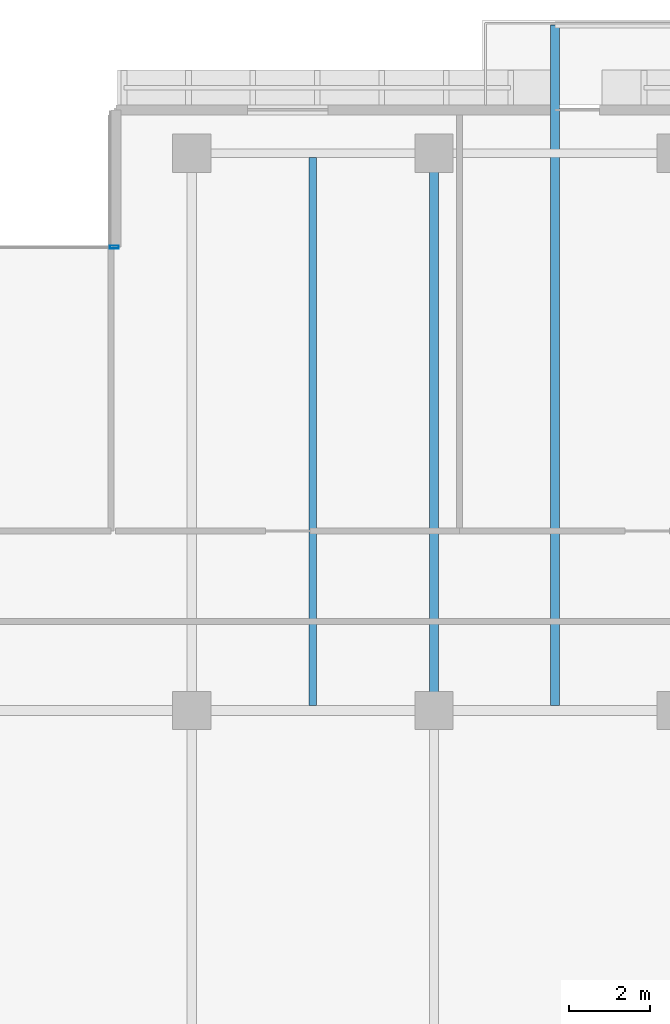
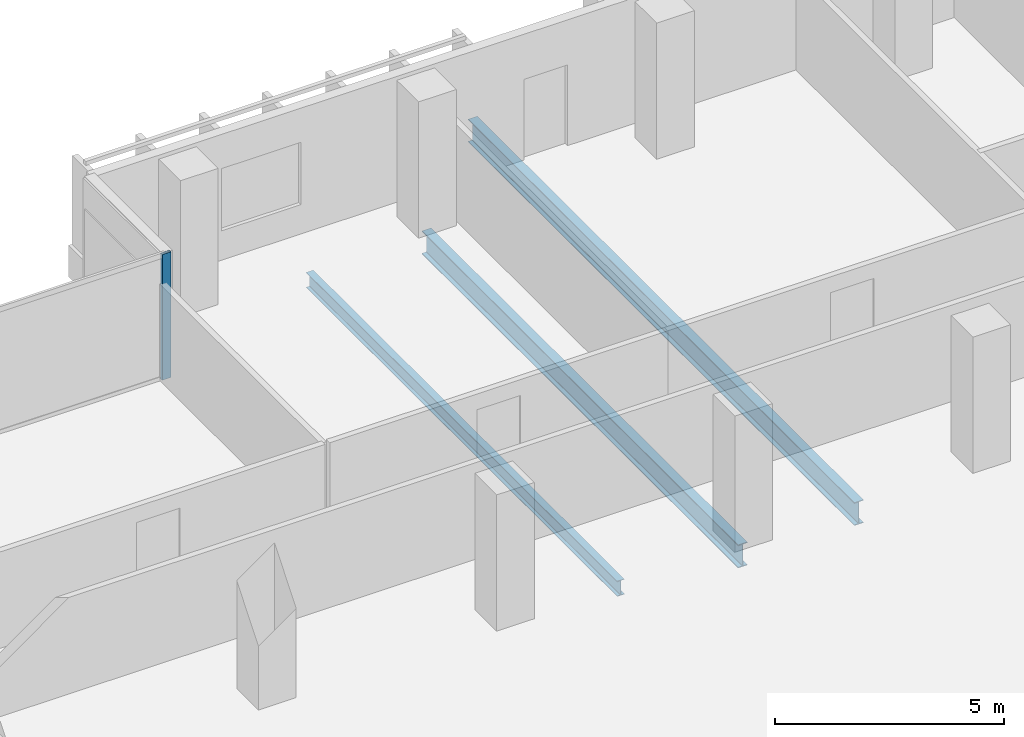
# One storey, part 8 of 23: 3 beams, 1 member, 1 element without a shape of its own.
"""IFC4 building model written with IfcOpenShell, lengths in metres."""

import ifcopenshell
import ifcopenshell.guid

model = None  # the IFC model being written
_history = None  # IfcOwnerHistory: only IFC2X3 demands one
_inside = {}  # id of a spatial element -> (the spatial element, [elements in it])
_under = {}  # id of a project, library or spatial element -> (it, [spatial elements below it])
_declared = {}  # id of a project -> (the project, [libraries it declares])
_typed = {}  # id of a type object -> (the type object, [elements of that type])
_made_of = {}  # id of a material, layer set ... -> (it, [elements and type objects made of it])


def new_model(schema):
    """Start an empty IFC model of exactly this schema.

    Asked for "IFC4X3", IfcOpenShell would pick the latest addendum, in which some entities
    have other attributes; the version numbers below select the first issue.
    IFC2X3 requires an IfcOwnerHistory on every rooted entity: one is made here for all.
    """
    global model, _history
    if schema == "IFC4X3":
        model = ifcopenshell.file(schema_version=(4, 3, 0, 0))
    else:
        model = ifcopenshell.file(schema=schema)
    _inside.clear()
    _under.clear()
    _declared.clear()
    _typed.clear()
    _made_of.clear()
    _history = None
    if model.schema == "IFC2X3":
        org = make("IfcOrganization", Name="unknown")
        user = make(
            "IfcPersonAndOrganization",
            ThePerson=make("IfcPerson", FamilyName="unknown"),
            TheOrganization=org,
        )
        app = make(
            "IfcApplication",
            ApplicationDeveloper=org,
            Version="unknown",
            ApplicationFullName="unknown",
            ApplicationIdentifier="unknown",
        )
        _history = make(
            "IfcOwnerHistory",
            OwningUser=user,
            OwningApplication=app,
            ChangeAction="ADDED",
            CreationDate=0,
        )
    return model


def make(cls, **values):
    """One entity of the class cls with the attributes given. An attribute that is None is left unset."""
    return model.create_entity(
        cls, **{name: value for name, value in values.items() if value is not None}
    )


def rooted(cls, **values):
    """An entity with a GlobalId (a new one), such as an element, a storey or a relation."""
    return make(cls, GlobalId=ifcopenshell.guid.new(), OwnerHistory=_history, **values)


def si_unit(unit_type, name, prefix=None):
    """IfcSIUnit, for example si_unit("LENGTHUNIT", "METRE", prefix="MILLI")."""
    return make("IfcSIUnit", UnitType=unit_type, Prefix=prefix, Name=name)


def assignment(units):
    """IfcUnitAssignment: the units of a project."""
    return None if units is None else make("IfcUnitAssignment", Units=units)


def point(xyz):
    """IfcCartesianPoint."""
    return None if xyz is None else make("IfcCartesianPoint", Coordinates=xyz)


def direction(xyz):
    """IfcDirection."""
    return None if xyz is None else make("IfcDirection", DirectionRatios=xyz)


def frame(location, z_axis=None, x_axis=None):
    """IfcAxis2Placement3D, a coordinate frame: its origin and axes. An axis left out is left unset."""
    return make(
        "IfcAxis2Placement3D",
        Location=point(location),
        Axis=direction(z_axis),
        RefDirection=direction(x_axis),
    )


def frame_2d(location, x_axis=None):
    """IfcAxis2Placement2D, a coordinate frame in the plane: its origin and x axis."""
    return make(
        "IfcAxis2Placement2D", Location=point(location), RefDirection=direction(x_axis)
    )


def origin():
    """The frame at (0, 0, 0) with its axes left unset."""
    return frame((0.0, 0.0, 0.0))


def origin_2d():
    """The frame at (0, 0) in the plane with its x axis left unset."""
    return frame_2d((0.0, 0.0))


def place(relative_to, where):
    """IfcLocalPlacement: puts the frame where relative to a parent placement (None: the world)."""
    return make(
        "IfcLocalPlacement", PlacementRelTo=relative_to, RelativePlacement=where
    )


def context(
    kind, dimensions, precision=None, world=None, true_north=None, identifier=None
):
    """IfcGeometricRepresentationContext, for example the 3D "Model" context."""
    return make(
        "IfcGeometricRepresentationContext",
        ContextIdentifier=identifier,
        ContextType=kind,
        CoordinateSpaceDimension=dimensions,
        Precision=precision,
        WorldCoordinateSystem=world,
        TrueNorth=true_north,
    )


def subcontext(parent, identifier, kind, view, scale=None):
    """IfcGeometricRepresentationSubContext, for example "Body" below "Model"."""
    return make(
        "IfcGeometricRepresentationSubContext",
        ContextIdentifier=identifier,
        ContextType=kind,
        ParentContext=parent,
        TargetScale=scale,
        TargetView=view,
    )


def project(units=None, contexts=None):
    """IfcProject with its units and contexts."""
    return rooted(
        "IfcProject",
        Name="project",
        RepresentationContexts=contexts,
        UnitsInContext=assignment(units),
    )


def spatial(cls, under=None, at=None, **own):
    """A site, building, storey or space (cls), placed at a placement, below another one or the project."""
    s = rooted(cls, ObjectPlacement=at, **own)
    if under is not None:
        _under.setdefault(under.id(), (under, []))[1].append(s)
    return s


def profile(cls, at=None, kind="AREA", **sizes):
    """A parametric profile (cls). Its sizes go by their IFC names, for example OverallWidth=200.0."""
    return make(cls, ProfileType=kind, Position=at, **sizes)


def hollow_rectangle(**sizes):
    """IfcRectangleHollowProfileDef."""
    return profile("IfcRectangleHollowProfileDef", **sizes)


def i_section(**sizes):
    """IfcIShapeProfileDef."""
    return profile("IfcIShapeProfileDef", **sizes)


def extrude(swept, where, along, depth):
    """IfcExtrudedAreaSolid: the profile swept, set in the frame where, extruded along a direction by depth."""
    return make(
        "IfcExtrudedAreaSolid",
        SweptArea=swept,
        Position=where,
        ExtrudedDirection=direction(along),
        Depth=depth,
    )


def shape(context_of_items, identifier, shape_type, items):
    """IfcShapeRepresentation: the items that make up one representation, for example the "Body"."""
    return make(
        "IfcShapeRepresentation",
        ContextOfItems=context_of_items,
        RepresentationIdentifier=identifier,
        RepresentationType=shape_type,
        Items=items,
    )


def material(Name=None, Category=None):
    """IfcMaterial."""
    return make("IfcMaterial", Name=Name, Category=Category)


def layer(
    of_material, thickness, ventilated=None, Name=None, Category=None, Priority=None
):
    """IfcMaterialLayer: one layer of a wall or slab, of a material (None: an air gap)."""
    return make(
        "IfcMaterialLayer",
        Material=of_material,
        LayerThickness=thickness,
        IsVentilated=ventilated,
        Name=Name,
        Category=Category,
        Priority=Priority,
    )


def layer_set(layers, Name=None):
    """IfcMaterialLayerSet."""
    return make("IfcMaterialLayerSet", MaterialLayers=layers, LayerSetName=Name)


def material_profile(
    of_material, cross_section, Name=None, Category=None, Priority=None
):
    """IfcMaterialProfile: a cross section and its material."""
    return make(
        "IfcMaterialProfile",
        Name=Name,
        Material=of_material,
        Profile=cross_section,
        Priority=Priority,
        Category=Category,
    )


def profile_set(profiles, Name=None, composite=None):
    """IfcMaterialProfileSet."""
    return make(
        "IfcMaterialProfileSet",
        Name=Name,
        MaterialProfiles=profiles,
        CompositeProfile=composite,
    )


def made_of(thing, what):
    """Note that an element or type object is made of a material, layer set ...; save() writes the relation."""
    if what is not None:
        _made_of.setdefault(what.id(), (what, []))[1].append(thing)
    return thing


def type_object(cls, material=None, **own):
    """A type object (cls), such as IfcWallType, which elements share."""
    return made_of(rooted(cls, **own), material)


def element(
    cls,
    number,
    at=None,
    inside=None,
    cuts=None,
    type_object=None,
    material=None,
    context=None,
    identifier="Body",
    shape_type=None,
    held_by="IfcProductDefinitionShape",
    body=None,
    shapes=None,
    **own,
):
    """One element of the class cls, such as IfcWall. Its Tag is "e" and its number.

    at: its placement. inside: the storey or other place that contains it. cuts: it is an
    opening in that element (IfcRelVoidsElement). A single representation is given by context,
    identifier, shape_type and body (its items); several are given by shapes. held_by: the class
    of the entity that holds the representations. save() writes the other relations.
    """
    e = rooted(cls, Tag="e%d" % number, ObjectPlacement=at, **own)
    if body is not None:
        shapes = [shape(context, identifier, shape_type, body)]
    if shapes is not None:
        e.Representation = make(held_by, Representations=shapes)
    if inside is not None:
        _inside.setdefault(inside.id(), (inside, []))[1].append(e)
    if cuts is not None:
        rooted(
            "IfcRelVoidsElement", RelatingBuildingElement=cuts, RelatedOpeningElement=e
        )
    if type_object is not None:
        _typed.setdefault(type_object.id(), (type_object, []))[1].append(e)
    return made_of(e, material)


def aggregate(whole, parts):
    """IfcRelAggregates: a whole, such as a stair, and the parts it consists of."""
    return rooted("IfcRelAggregates", RelatingObject=whole, RelatedObjects=parts)


def save(model, path):
    """Write the relations noted so far, then the file.

    IfcRelAggregates (storeys below a building ...), IfcRelContainedInSpatialStructure (elements
    in a storey), IfcRelDefinesByType, IfcRelAssociatesMaterial and IfcRelDeclares: one each for
    every whole, place, type object, material and project.
    """
    for whole, parts in _under.values():
        aggregate(whole, parts)
    for where, things in _inside.values():
        rooted(
            "IfcRelContainedInSpatialStructure",
            RelatedElements=things,
            RelatingStructure=where,
        )
    for kind, things in _typed.values():
        rooted("IfcRelDefinesByType", RelatedObjects=things, RelatingType=kind)
    for what, things in _made_of.values():
        rooted("IfcRelAssociatesMaterial", RelatedObjects=things, RelatingMaterial=what)
    for by, libraries in _declared.values():
        rooted("IfcRelDeclares", RelatingContext=by, RelatedDefinitions=libraries)
    model.write(path)


model = new_model("IFC4")

# Units and contexts
model_context = context("Model", 3, precision=1e-05, world=origin(), true_north=direction((0.0, 1.0)))
body_context = subcontext(model_context, "Body", "Model", "MODEL_VIEW")
ifc_project = project(units=[si_unit("LENGTHUNIT", "METRE"), si_unit("AREAUNIT", "SQUARE_METRE"), si_unit("VOLUMEUNIT", "CUBIC_METRE"), si_unit("PLANEANGLEUNIT", "RADIAN"), si_unit("MASSUNIT", "GRAM", prefix="KILO")], contexts=[model_context])

# Site, building, storey
site_placement = place(None, origin())
site = spatial("IfcSite", under=ifc_project, at=site_placement, CompositionType="ELEMENT")
building_placement = place(site_placement, origin())
building = spatial("IfcBuilding", under=site, at=building_placement, Name="Tanjung Sevakor Pilgrim Tower", CompositionType="ELEMENT")
storey_placement = place(building_placement, frame((0.0, 0.0, 119.4599609375)))
storey = spatial("IfcBuildingStorey", under=building, at=storey_placement, Name="L33", CompositionType="ELEMENT", Elevation=119.4599609375)

# Beams
ifc_material_1 = material(Name="Steel S355J2", Category="steel")
ifc_material_profile_1 = material_profile(ifc_material_1, i_section(OverallWidth=0.230224609375, OverallDepth=0.6171875, WebThickness=0.01318359375, FlangeThickness=0.022216796875, FilletRadius=0.0126953125, at=origin_2d()))
ifc_profile_set_1 = profile_set([ifc_material_profile_1], Name="Steel S355J2")
beam_type_1 = type_object("IfcBeamType", Name="BM-B-G3-UB_610x229x140", PredefinedType="BEAM", material=ifc_profile_set_1)
beam_1_placement = place(storey_placement, frame((60.0, 42.60009765625, -0.528564453125), z_axis=(0.0, 1.0, 0.0), x_axis=(-1.0, 0.0, 0.0)))
element("IfcBeam", 1, at=beam_1_placement, inside=storey, type_object=beam_type_1, Name="L33 MAIN Girder 020", PredefinedType="BEAM", context=body_context, shape_type="SweptSolid", body=[
    extrude(i_section(OverallWidth=0.230224609375, OverallDepth=0.6171875, WebThickness=0.01318359375, FlangeThickness=0.022216796875, FilletRadius=0.0126953125, at=origin_2d()), origin(), (0.0, 0.0, 1.0), 13.7998046875),
])
ifc_material_2 = material(Name="Steel S355J2", Category="steel")
ifc_material_profile_2 = material_profile(ifc_material_2, i_section(OverallWidth=0.22900390625, OverallDepth=0.6123046875, WebThickness=0.011962890625, FlangeThickness=0.01953125, FilletRadius=0.0126953125, at=origin_2d()))
ifc_profile_set_2 = profile_set([ifc_material_profile_2], Name="Steel S355J2")
beam_type_2 = type_object("IfcBeamType", Name="BM-B-G4-UB_610x229x125", PredefinedType="BEAM", material=ifc_profile_set_2)
beam_2_placement = place(storey_placement, frame((63.0, 42.727294921875, -0.526123046875), z_axis=(0.0, 1.0, 0.0), x_axis=(-1.0, 0.0, 0.0)))
element("IfcBeam", 2, at=beam_2_placement, inside=storey, type_object=beam_type_2, Name="L33 Balcony Cantilever Beam MAIN-N2-1", PredefinedType="BEAM", context=body_context, shape_type="SweptSolid", body=[
    extrude(i_section(OverallWidth=0.22900390625, OverallDepth=0.6123046875, WebThickness=0.011962890625, FlangeThickness=0.01953125, FilletRadius=0.0126953125, at=origin_2d()), origin(), (0.0, 0.0, 1.0), 16.852783203125),
])
ifc_material_3 = material(Name="Steel S355J2", Category="steel")
ifc_material_profile_3 = material_profile(ifc_material_3, i_section(OverallWidth=0.1787109375, OverallDepth=0.409423828125, WebThickness=0.0087890625, FlangeThickness=0.014404296875, FilletRadius=0.01025390625, at=origin_2d()))
ifc_profile_set_3 = profile_set([ifc_material_profile_3], Name="Steel S355J2")
beam_type_3 = type_object("IfcBeamType", Name="BM-B-J3-UB_406x178x67", PredefinedType="JOIST", material=ifc_profile_set_3)
beam_3_placement = place(storey_placement, frame((57.0, 42.727294921875, -0.424560546875), z_axis=(0.0, 1.0, 0.0), x_axis=(-1.0, 0.0, 0.0)))
element("IfcBeam", 3, at=beam_3_placement, inside=storey, type_object=beam_type_3, Name="L33 MAIN Joist 017", PredefinedType="JOIST", context=body_context, shape_type="SweptSolid", body=[
    extrude(i_section(OverallWidth=0.1787109375, OverallDepth=0.409423828125, WebThickness=0.0087890625, FlangeThickness=0.014404296875, FilletRadius=0.01025390625, at=origin_2d()), origin(), (0.0, 0.0, 1.0), 13.57275390625),
])

# Curtain wall, member
ifc_material_4 = material(Name="Aluminium 6063-T6 and Low-E Glass", Category="aluminium")
ifc_layer = layer(ifc_material_4, 0.179931640625)
ifc_layer_set = layer_set([ifc_layer], Name="CW-SYS-CLEFT")
curtain_wall_type = type_object("IfcCurtainWallType", Name="CW-SYS-CLEFT", PredefinedType="NOTDEFINED", material=ifc_layer_set)
curtain_wall_placement = place(storey_placement, origin())
curtain_wall = element("IfcCurtainWall", 4, at=curtain_wall_placement, inside=storey, type_object=curtain_wall_type, Name="L33 Curtain Wall CW-CLF-L33-10", PredefinedType="NOTDEFINED")
ifc_material_5 = material(Name="Aluminium 6063-T6", Category="aluminium")
ifc_material_profile_4 = material_profile(ifc_material_5, hollow_rectangle(XDim=0.074951171875, YDim=0.219970703125, WallThickness=0.0048828125, at=origin_2d()))
ifc_profile_set_4 = profile_set([ifc_material_profile_4], Name="Aluminium 6063-T6")
member_type = type_object("IfcMemberType", Name="TYPE-CWM-2", PredefinedType="MULLION", material=ifc_profile_set_4)
member_placement = place(storey_placement, frame((52.08740234375, 54.074951171875, 0.0), z_axis=(0.0, 0.0, 1.0), x_axis=(0.0, -1.0, 0.0)))
member = element("IfcMember", 5, at=member_placement, type_object=member_type, Name="CW-CLF mullion 1", PredefinedType="MULLION", context=body_context, shape_type="SweptSolid", body=[
    extrude(hollow_rectangle(XDim=0.074951171875, YDim=0.219970703125, WallThickness=0.0048828125, at=origin_2d()), origin(), (0.0, 0.0, 1.0), 3.35009765625),
])
aggregate(curtain_wall, [member])

save(model, "model.ifc")
